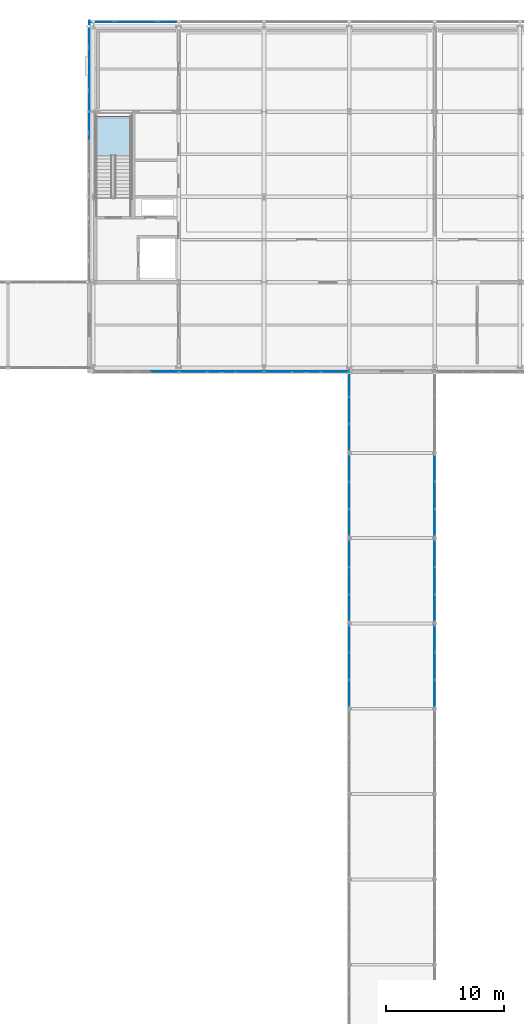
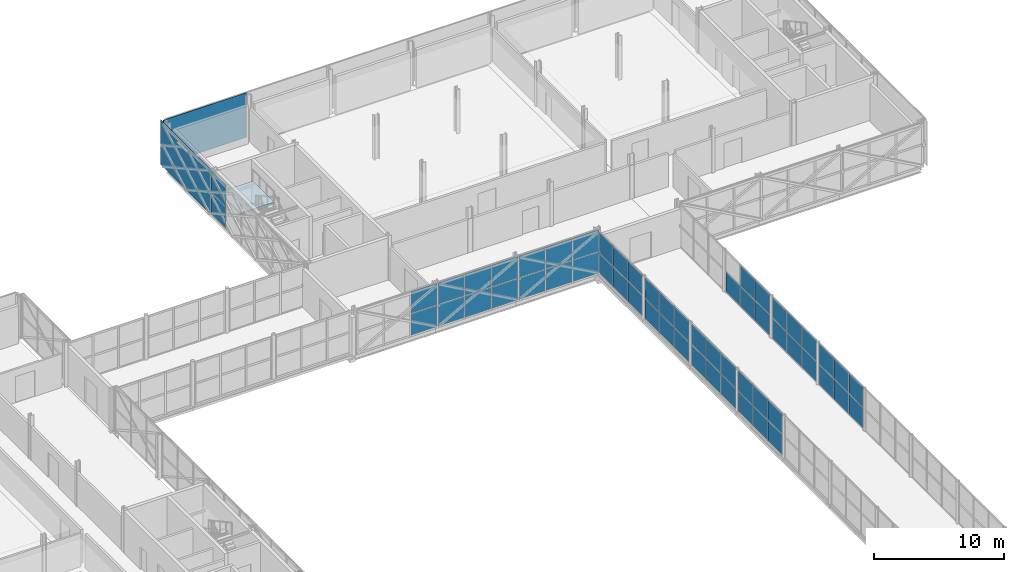
# One storey, part 93 of 146: 59 plates, 1 slab, 12 elements without a shape of their own.
"""IFC4 building model written with IfcOpenShell, lengths in metres."""

from ifc_helpers import new_model, si_unit, direction, frame, origin, origin_2d, place, context, subcontext, project, spatial, polyline, rectangle, outline, extrude, material, layer, layer_set, type_object, element, aggregate, save


model = new_model("IFC4")

# Units and contexts
model_context = context("Model", 3, precision=1e-05, world=origin(), true_north=direction((0.0, 1.0)))
body_context = subcontext(model_context, "Body", "Model", "MODEL_VIEW")
ifc_project = project(units=[si_unit("LENGTHUNIT", "METRE"), si_unit("AREAUNIT", "SQUARE_METRE"), si_unit("VOLUMEUNIT", "CUBIC_METRE"), si_unit("PLANEANGLEUNIT", "RADIAN"), si_unit("MASSUNIT", "GRAM", prefix="KILO")], contexts=[model_context])

# Site, building, storey
site_placement = place(None, origin())
site = spatial("IfcSite", under=ifc_project, at=site_placement, CompositionType="ELEMENT")
building_placement = place(site_placement, origin())
building = spatial("IfcBuilding", under=site, at=building_placement, Name="Zlatovets Crest Museum", CompositionType="ELEMENT")
storey_placement = place(building_placement, frame((0.0, 0.0, 4.5)))
storey = spatial("IfcBuildingStorey", under=building, at=storey_placement, Name="L01", CompositionType="ELEMENT", Elevation=4.5)

# Curtain wall, plates
ifc_material_1 = material(Name="Bronze-anodised aluminium and low-E triple glass", Category="aluminium")
curtain_wall_type_1 = type_object("IfcCurtainWallType", Name="CW_CW-BR5-L01-S69", PredefinedType="NOTDEFINED", material=ifc_material_1)
curtain_wall_1_placement = place(storey_placement, origin())
curtain_wall_1 = element("IfcCurtainWall", 1, at=curtain_wall_1_placement, inside=storey, type_object=curtain_wall_type_1, Name="Central Sculpture Court Cloister and Skywalk L01 Glazed Bridge Curtain Wall", PredefinedType="NOTDEFINED")
ifc_material_2 = material(Name="Solar-control low-E laminated triple glass", Category="glass")
ifc_layer_1 = layer(ifc_material_2, 0.030029296875)
ifc_layer_set_1 = layer_set([ifc_layer_1], Name="Solar-control low-E laminated triple glass")
plate_type_1 = type_object("IfcPlateType", Name="CWPanel_CW-BR5-L01-S69", PredefinedType="CURTAIN_PANEL", material=ifc_layer_set_1)
plate_1_placement = place(storey_placement, frame((79.199951171875, 58.9150390625, 0.06005859375), z_axis=(0.0, 0.0, 1.0), x_axis=(0.0, 1.0, 0.0)))
plate_1 = element("IfcPlate", 2, at=plate_1_placement, type_object=plate_type_1, Name="CW-BR5-L01-S69 panel 1.1", PredefinedType="CURTAIN_PANEL", context=body_context, shape_type="SweptSolid", body=[
    extrude(rectangle(XDim=2.2099609375, YDim=0.030029296875, at=origin_2d()), origin(), (0.0, 0.0, 1.0), 1.89990234375),
])
plate_2_placement = place(storey_placement, frame((79.199951171875, 58.9150390625, 2.02001953125), z_axis=(0.0, 0.0, 1.0), x_axis=(0.0, 1.0, 0.0)))
plate_2 = element("IfcPlate", 3, at=plate_2_placement, type_object=plate_type_1, Name="CW-BR5-L01-S69 panel 1.2", PredefinedType="CURTAIN_PANEL", context=body_context, shape_type="SweptSolid", body=[
    extrude(rectangle(XDim=2.2099609375, YDim=0.030029296875, at=origin_2d()), origin(), (0.0, 0.0, 1.0), 1.89990234375),
])
plate_3_placement = place(storey_placement, frame((79.199951171875, 61.199951171875, 0.06005859375), z_axis=(0.0, 0.0, 1.0), x_axis=(0.0, 1.0, 0.0)))
plate_3 = element("IfcPlate", 4, at=plate_3_placement, type_object=plate_type_1, Name="CW-BR5-L01-S69 panel 2.1", PredefinedType="CURTAIN_PANEL", context=body_context, shape_type="SweptSolid", body=[
    extrude(rectangle(XDim=2.239990234375, YDim=0.030029296875, at=origin_2d()), origin(), (0.0, 0.0, 1.0), 1.89990234375),
])
plate_4_placement = place(storey_placement, frame((79.199951171875, 61.199951171875, 2.02001953125), z_axis=(0.0, 0.0, 1.0), x_axis=(0.0, 1.0, 0.0)))
plate_4 = element("IfcPlate", 5, at=plate_4_placement, type_object=plate_type_1, Name="CW-BR5-L01-S69 panel 2.2", PredefinedType="CURTAIN_PANEL", context=body_context, shape_type="SweptSolid", body=[
    extrude(rectangle(XDim=2.239990234375, YDim=0.030029296875, at=origin_2d()), origin(), (0.0, 0.0, 1.0), 1.89990234375),
])
plate_5_placement = place(storey_placement, frame((79.199951171875, 63.485107421875, 0.06005859375), z_axis=(0.0, 0.0, 1.0), x_axis=(0.0, 1.0, 0.0)))
plate_5 = element("IfcPlate", 6, at=plate_5_placement, type_object=plate_type_1, Name="CW-BR5-L01-S69 panel 3.1", PredefinedType="CURTAIN_PANEL", context=body_context, shape_type="SweptSolid", body=[
    extrude(rectangle(XDim=2.2099609375, YDim=0.030029296875, at=origin_2d()), origin(), (0.0, 0.0, 1.0), 1.89990234375),
])
plate_6_placement = place(storey_placement, frame((79.199951171875, 63.485107421875, 2.02001953125), z_axis=(0.0, 0.0, 1.0), x_axis=(0.0, 1.0, 0.0)))
plate_6 = element("IfcPlate", 7, at=plate_6_placement, type_object=plate_type_1, Name="CW-BR5-L01-S69 panel 3.2", PredefinedType="CURTAIN_PANEL", context=body_context, shape_type="SweptSolid", body=[
    extrude(rectangle(XDim=2.2099609375, YDim=0.030029296875, at=origin_2d()), origin(), (0.0, 0.0, 1.0), 1.89990234375),
])
aggregate(curtain_wall_1, [plate_1, plate_2, plate_3, plate_4, plate_5, plate_6])

curtain_wall_2_placement = place(storey_placement, origin())
curtain_wall_2 = element("IfcCurtainWall", 8, at=curtain_wall_2_placement, inside=storey, type_object=curtain_wall_type_1, Name="Central Sculpture Court Cloister and Skywalk L01 Glazed Bridge Curtain Wall", PredefinedType="NOTDEFINED")
plate_7_placement = place(storey_placement, frame((79.199951171875, 66.114990234375, 0.06005859375), z_axis=(0.0, 0.0, 1.0), x_axis=(0.0, 1.0, 0.0)))
plate_7 = element("IfcPlate", 9, at=plate_7_placement, type_object=plate_type_1, Name="CW-BR5-L01-S69 panel 1.1", PredefinedType="CURTAIN_PANEL", context=body_context, shape_type="SweptSolid", body=[
    extrude(rectangle(XDim=2.2099609375, YDim=0.030029296875, at=origin_2d()), origin(), (0.0, 0.0, 1.0), 1.89990234375),
])
plate_8_placement = place(storey_placement, frame((79.199951171875, 66.114990234375, 2.02001953125), z_axis=(0.0, 0.0, 1.0), x_axis=(0.0, 1.0, 0.0)))
plate_8 = element("IfcPlate", 10, at=plate_8_placement, type_object=plate_type_1, Name="CW-BR5-L01-S69 panel 1.2", PredefinedType="CURTAIN_PANEL", context=body_context, shape_type="SweptSolid", body=[
    extrude(rectangle(XDim=2.2099609375, YDim=0.030029296875, at=origin_2d()), origin(), (0.0, 0.0, 1.0), 1.89990234375),
])
plate_9_placement = place(storey_placement, frame((79.199951171875, 68.39990234375, 0.06005859375), z_axis=(0.0, 0.0, 1.0), x_axis=(0.0, 1.0, 0.0)))
plate_9 = element("IfcPlate", 11, at=plate_9_placement, type_object=plate_type_1, Name="CW-BR5-L01-S69 panel 2.1", PredefinedType="CURTAIN_PANEL", context=body_context, shape_type="SweptSolid", body=[
    extrude(rectangle(XDim=2.239990234375, YDim=0.030029296875, at=origin_2d()), origin(), (0.0, 0.0, 1.0), 1.89990234375),
])
plate_10_placement = place(storey_placement, frame((79.199951171875, 68.39990234375, 2.02001953125), z_axis=(0.0, 0.0, 1.0), x_axis=(0.0, 1.0, 0.0)))
plate_10 = element("IfcPlate", 12, at=plate_10_placement, type_object=plate_type_1, Name="CW-BR5-L01-S69 panel 2.2", PredefinedType="CURTAIN_PANEL", context=body_context, shape_type="SweptSolid", body=[
    extrude(rectangle(XDim=2.239990234375, YDim=0.030029296875, at=origin_2d()), origin(), (0.0, 0.0, 1.0), 1.89990234375),
])
plate_11_placement = place(storey_placement, frame((79.199951171875, 70.68505859375, 0.06005859375), z_axis=(0.0, 0.0, 1.0), x_axis=(0.0, 1.0, 0.0)))
plate_11 = element("IfcPlate", 13, at=plate_11_placement, type_object=plate_type_1, Name="CW-BR5-L01-S69 panel 3.1", PredefinedType="CURTAIN_PANEL", context=body_context, shape_type="SweptSolid", body=[
    extrude(rectangle(XDim=2.2099609375, YDim=0.030029296875, at=origin_2d()), origin(), (0.0, 0.0, 1.0), 1.89990234375),
])
plate_12_placement = place(storey_placement, frame((79.199951171875, 70.68505859375, 2.02001953125), z_axis=(0.0, 0.0, 1.0), x_axis=(0.0, 1.0, 0.0)))
plate_12 = element("IfcPlate", 14, at=plate_12_placement, type_object=plate_type_1, Name="CW-BR5-L01-S69 panel 3.2", PredefinedType="CURTAIN_PANEL", context=body_context, shape_type="SweptSolid", body=[
    extrude(rectangle(XDim=2.2099609375, YDim=0.030029296875, at=origin_2d()), origin(), (0.0, 0.0, 1.0), 1.89990234375),
])
aggregate(curtain_wall_2, [plate_7, plate_8, plate_9, plate_10, plate_11, plate_12])

curtain_wall_3_placement = place(storey_placement, origin())
curtain_wall_3 = element("IfcCurtainWall", 15, at=curtain_wall_3_placement, inside=storey, type_object=curtain_wall_type_1, Name="Central Sculpture Court Cloister and Skywalk L01 Glazed Bridge Curtain Wall", PredefinedType="NOTDEFINED")
plate_13_placement = place(storey_placement, frame((79.199951171875, 73.31494140625, 0.06005859375), z_axis=(0.0, 0.0, 1.0), x_axis=(0.0, 1.0, 0.0)))
plate_13 = element("IfcPlate", 16, at=plate_13_placement, type_object=plate_type_1, Name="CW-BR5-L01-S69 panel 1.1", PredefinedType="CURTAIN_PANEL", context=body_context, shape_type="SweptSolid", body=[
    extrude(rectangle(XDim=2.2099609375, YDim=0.030029296875, at=origin_2d()), origin(), (0.0, 0.0, 1.0), 1.89990234375),
])
plate_14_placement = place(storey_placement, frame((79.199951171875, 73.31494140625, 2.02001953125), z_axis=(0.0, 0.0, 1.0), x_axis=(0.0, 1.0, 0.0)))
plate_14 = element("IfcPlate", 17, at=plate_14_placement, type_object=plate_type_1, Name="CW-BR5-L01-S69 panel 1.2", PredefinedType="CURTAIN_PANEL", context=body_context, shape_type="SweptSolid", body=[
    extrude(rectangle(XDim=2.2099609375, YDim=0.030029296875, at=origin_2d()), origin(), (0.0, 0.0, 1.0), 1.89990234375),
])
plate_15_placement = place(storey_placement, frame((79.199951171875, 75.60009765625, 0.06005859375), z_axis=(0.0, 0.0, 1.0), x_axis=(0.0, 1.0, 0.0)))
plate_15 = element("IfcPlate", 18, at=plate_15_placement, type_object=plate_type_1, Name="CW-BR5-L01-S69 panel 2.1", PredefinedType="CURTAIN_PANEL", context=body_context, shape_type="SweptSolid", body=[
    extrude(rectangle(XDim=2.239990234375, YDim=0.030029296875, at=origin_2d()), origin(), (0.0, 0.0, 1.0), 1.89990234375),
])
plate_16_placement = place(storey_placement, frame((79.199951171875, 75.60009765625, 2.02001953125), z_axis=(0.0, 0.0, 1.0), x_axis=(0.0, 1.0, 0.0)))
plate_16 = element("IfcPlate", 19, at=plate_16_placement, type_object=plate_type_1, Name="CW-BR5-L01-S69 panel 2.2", PredefinedType="CURTAIN_PANEL", context=body_context, shape_type="SweptSolid", body=[
    extrude(rectangle(XDim=2.239990234375, YDim=0.030029296875, at=origin_2d()), origin(), (0.0, 0.0, 1.0), 1.89990234375),
])
plate_17_placement = place(storey_placement, frame((79.199951171875, 77.885009765625, 0.06005859375), z_axis=(0.0, 0.0, 1.0), x_axis=(0.0, 1.0, 0.0)))
plate_17 = element("IfcPlate", 20, at=plate_17_placement, type_object=plate_type_1, Name="CW-BR5-L01-S69 panel 3.1", PredefinedType="CURTAIN_PANEL", context=body_context, shape_type="SweptSolid", body=[
    extrude(rectangle(XDim=2.2099609375, YDim=0.030029296875, at=origin_2d()), origin(), (0.0, 0.0, 1.0), 1.89990234375),
])
plate_18_placement = place(storey_placement, frame((79.199951171875, 77.885009765625, 2.02001953125), z_axis=(0.0, 0.0, 1.0), x_axis=(0.0, 1.0, 0.0)))
plate_18 = element("IfcPlate", 21, at=plate_18_placement, type_object=plate_type_1, Name="CW-BR5-L01-S69 panel 3.2", PredefinedType="CURTAIN_PANEL", context=body_context, shape_type="SweptSolid", body=[
    extrude(rectangle(XDim=2.2099609375, YDim=0.030029296875, at=origin_2d()), origin(), (0.0, 0.0, 1.0), 1.89990234375),
])
aggregate(curtain_wall_3, [plate_13, plate_14, plate_15, plate_16, plate_17, plate_18])

curtain_wall_4_placement = place(storey_placement, origin())
curtain_wall_4 = element("IfcCurtainWall", 22, at=curtain_wall_4_placement, inside=storey, type_object=curtain_wall_type_1, Name="Central Sculpture Court Cloister and Skywalk L01 Glazed Bridge Curtain Wall", PredefinedType="NOTDEFINED")
plate_19_placement = place(storey_placement, frame((79.199951171875, 80.514892578125, 0.06005859375), z_axis=(0.0, 0.0, 1.0), x_axis=(0.0, 1.0, 0.0)))
plate_19 = element("IfcPlate", 23, at=plate_19_placement, type_object=plate_type_1, Name="CW-BR5-L01-S69 panel 1.1", PredefinedType="CURTAIN_PANEL", context=body_context, shape_type="SweptSolid", body=[
    extrude(rectangle(XDim=2.2099609375, YDim=0.030029296875, at=origin_2d()), origin(), (0.0, 0.0, 1.0), 1.89990234375),
])
plate_20_placement = place(storey_placement, frame((79.199951171875, 80.514892578125, 2.02001953125), z_axis=(0.0, 0.0, 1.0), x_axis=(0.0, 1.0, 0.0)))
plate_20 = element("IfcPlate", 24, at=plate_20_placement, type_object=plate_type_1, Name="CW-BR5-L01-S69 panel 1.2", PredefinedType="CURTAIN_PANEL", context=body_context, shape_type="SweptSolid", body=[
    extrude(rectangle(XDim=2.2099609375, YDim=0.030029296875, at=origin_2d()), origin(), (0.0, 0.0, 1.0), 1.89990234375),
])
plate_21_placement = place(storey_placement, frame((79.199951171875, 82.800048828125, 0.06005859375), z_axis=(0.0, 0.0, 1.0), x_axis=(0.0, 1.0, 0.0)))
plate_21 = element("IfcPlate", 25, at=plate_21_placement, type_object=plate_type_1, Name="CW-BR5-L01-S69 panel 2.1", PredefinedType="CURTAIN_PANEL", context=body_context, shape_type="SweptSolid", body=[
    extrude(rectangle(XDim=2.239990234375, YDim=0.030029296875, at=origin_2d()), origin(), (0.0, 0.0, 1.0), 1.89990234375),
])
plate_22_placement = place(storey_placement, frame((79.199951171875, 82.800048828125, 2.02001953125), z_axis=(0.0, 0.0, 1.0), x_axis=(0.0, 1.0, 0.0)))
plate_22 = element("IfcPlate", 26, at=plate_22_placement, type_object=plate_type_1, Name="CW-BR5-L01-S69 panel 2.2", PredefinedType="CURTAIN_PANEL", context=body_context, shape_type="SweptSolid", body=[
    extrude(rectangle(XDim=2.239990234375, YDim=0.030029296875, at=origin_2d()), origin(), (0.0, 0.0, 1.0), 1.89990234375),
])
plate_23_placement = place(storey_placement, frame((79.199951171875, 85.0849609375, 0.06005859375), z_axis=(0.0, 0.0, 1.0), x_axis=(0.0, 1.0, 0.0)))
plate_23 = element("IfcPlate", 27, at=plate_23_placement, type_object=plate_type_1, Name="CW-BR5-L01-S69 panel 3.1", PredefinedType="CURTAIN_PANEL", context=body_context, shape_type="SweptSolid", body=[
    extrude(rectangle(XDim=2.2099609375, YDim=0.030029296875, at=origin_2d()), origin(), (0.0, 0.0, 1.0), 1.89990234375),
])
plate_24_placement = place(storey_placement, frame((79.199951171875, 85.0849609375, 2.02001953125), z_axis=(0.0, 0.0, 1.0), x_axis=(0.0, 1.0, 0.0)))
plate_24 = element("IfcPlate", 28, at=plate_24_placement, type_object=plate_type_1, Name="CW-BR5-L01-S69 panel 3.2", PredefinedType="CURTAIN_PANEL", context=body_context, shape_type="SweptSolid", body=[
    extrude(rectangle(XDim=2.2099609375, YDim=0.030029296875, at=origin_2d()), origin(), (0.0, 0.0, 1.0), 1.89990234375),
])
aggregate(curtain_wall_4, [plate_19, plate_20, plate_21, plate_22, plate_23, plate_24])

curtain_wall_5_placement = place(storey_placement, origin())
curtain_wall_5 = element("IfcCurtainWall", 29, at=curtain_wall_5_placement, inside=storey, type_object=curtain_wall_type_1, Name="Central Sculpture Court Cloister and Skywalk L01 Glazed Bridge Curtain Wall", PredefinedType="NOTDEFINED")
plate_25_placement = place(storey_placement, frame((86.39990234375, 58.9150390625, 0.06005859375), z_axis=(0.0, 0.0, 1.0), x_axis=(0.0, 1.0, 0.0)))
plate_25 = element("IfcPlate", 30, at=plate_25_placement, type_object=plate_type_1, Name="CW-BR5-L01-S69 panel 1.1", PredefinedType="CURTAIN_PANEL", context=body_context, shape_type="SweptSolid", body=[
    extrude(rectangle(XDim=2.2099609375, YDim=0.030029296875, at=origin_2d()), origin(), (0.0, 0.0, 1.0), 1.89990234375),
])
plate_26_placement = place(storey_placement, frame((86.39990234375, 58.9150390625, 2.02001953125), z_axis=(0.0, 0.0, 1.0), x_axis=(0.0, 1.0, 0.0)))
plate_26 = element("IfcPlate", 31, at=plate_26_placement, type_object=plate_type_1, Name="CW-BR5-L01-S69 panel 1.2", PredefinedType="CURTAIN_PANEL", context=body_context, shape_type="SweptSolid", body=[
    extrude(rectangle(XDim=2.2099609375, YDim=0.030029296875, at=origin_2d()), origin(), (0.0, 0.0, 1.0), 1.89990234375),
])
plate_27_placement = place(storey_placement, frame((86.39990234375, 61.199951171875, 0.06005859375), z_axis=(0.0, 0.0, 1.0), x_axis=(0.0, 1.0, 0.0)))
plate_27 = element("IfcPlate", 32, at=plate_27_placement, type_object=plate_type_1, Name="CW-BR5-L01-S69 panel 2.1", PredefinedType="CURTAIN_PANEL", context=body_context, shape_type="SweptSolid", body=[
    extrude(rectangle(XDim=2.239990234375, YDim=0.030029296875, at=origin_2d()), origin(), (0.0, 0.0, 1.0), 1.89990234375),
])
plate_28_placement = place(storey_placement, frame((86.39990234375, 61.199951171875, 2.02001953125), z_axis=(0.0, 0.0, 1.0), x_axis=(0.0, 1.0, 0.0)))
plate_28 = element("IfcPlate", 33, at=plate_28_placement, type_object=plate_type_1, Name="CW-BR5-L01-S69 panel 2.2", PredefinedType="CURTAIN_PANEL", context=body_context, shape_type="SweptSolid", body=[
    extrude(rectangle(XDim=2.239990234375, YDim=0.030029296875, at=origin_2d()), origin(), (0.0, 0.0, 1.0), 1.89990234375),
])
plate_29_placement = place(storey_placement, frame((86.39990234375, 63.485107421875, 0.06005859375), z_axis=(0.0, 0.0, 1.0), x_axis=(0.0, 1.0, 0.0)))
plate_29 = element("IfcPlate", 34, at=plate_29_placement, type_object=plate_type_1, Name="CW-BR5-L01-S69 panel 3.1", PredefinedType="CURTAIN_PANEL", context=body_context, shape_type="SweptSolid", body=[
    extrude(rectangle(XDim=2.2099609375, YDim=0.030029296875, at=origin_2d()), origin(), (0.0, 0.0, 1.0), 1.89990234375),
])
plate_30_placement = place(storey_placement, frame((86.39990234375, 63.485107421875, 2.02001953125), z_axis=(0.0, 0.0, 1.0), x_axis=(0.0, 1.0, 0.0)))
plate_30 = element("IfcPlate", 35, at=plate_30_placement, type_object=plate_type_1, Name="CW-BR5-L01-S69 panel 3.2", PredefinedType="CURTAIN_PANEL", context=body_context, shape_type="SweptSolid", body=[
    extrude(rectangle(XDim=2.2099609375, YDim=0.030029296875, at=origin_2d()), origin(), (0.0, 0.0, 1.0), 1.89990234375),
])
aggregate(curtain_wall_5, [plate_25, plate_26, plate_27, plate_28, plate_29, plate_30])

curtain_wall_6_placement = place(storey_placement, origin())
curtain_wall_6 = element("IfcCurtainWall", 36, at=curtain_wall_6_placement, inside=storey, type_object=curtain_wall_type_1, Name="Central Sculpture Court Cloister and Skywalk L01 Glazed Bridge Curtain Wall", PredefinedType="NOTDEFINED")
plate_31_placement = place(storey_placement, frame((86.39990234375, 66.114990234375, 0.06005859375), z_axis=(0.0, 0.0, 1.0), x_axis=(0.0, 1.0, 0.0)))
plate_31 = element("IfcPlate", 37, at=plate_31_placement, type_object=plate_type_1, Name="CW-BR5-L01-S69 panel 1.1", PredefinedType="CURTAIN_PANEL", context=body_context, shape_type="SweptSolid", body=[
    extrude(rectangle(XDim=2.2099609375, YDim=0.030029296875, at=origin_2d()), origin(), (0.0, 0.0, 1.0), 1.89990234375),
])
plate_32_placement = place(storey_placement, frame((86.39990234375, 66.114990234375, 2.02001953125), z_axis=(0.0, 0.0, 1.0), x_axis=(0.0, 1.0, 0.0)))
plate_32 = element("IfcPlate", 38, at=plate_32_placement, type_object=plate_type_1, Name="CW-BR5-L01-S69 panel 1.2", PredefinedType="CURTAIN_PANEL", context=body_context, shape_type="SweptSolid", body=[
    extrude(rectangle(XDim=2.2099609375, YDim=0.030029296875, at=origin_2d()), origin(), (0.0, 0.0, 1.0), 1.89990234375),
])
plate_33_placement = place(storey_placement, frame((86.39990234375, 68.39990234375, 0.06005859375), z_axis=(0.0, 0.0, 1.0), x_axis=(0.0, 1.0, 0.0)))
plate_33 = element("IfcPlate", 39, at=plate_33_placement, type_object=plate_type_1, Name="CW-BR5-L01-S69 panel 2.1", PredefinedType="CURTAIN_PANEL", context=body_context, shape_type="SweptSolid", body=[
    extrude(rectangle(XDim=2.239990234375, YDim=0.030029296875, at=origin_2d()), origin(), (0.0, 0.0, 1.0), 1.89990234375),
])
plate_34_placement = place(storey_placement, frame((86.39990234375, 68.39990234375, 2.02001953125), z_axis=(0.0, 0.0, 1.0), x_axis=(0.0, 1.0, 0.0)))
plate_34 = element("IfcPlate", 40, at=plate_34_placement, type_object=plate_type_1, Name="CW-BR5-L01-S69 panel 2.2", PredefinedType="CURTAIN_PANEL", context=body_context, shape_type="SweptSolid", body=[
    extrude(rectangle(XDim=2.239990234375, YDim=0.030029296875, at=origin_2d()), origin(), (0.0, 0.0, 1.0), 1.89990234375),
])
plate_35_placement = place(storey_placement, frame((86.39990234375, 70.68505859375, 0.06005859375), z_axis=(0.0, 0.0, 1.0), x_axis=(0.0, 1.0, 0.0)))
plate_35 = element("IfcPlate", 41, at=plate_35_placement, type_object=plate_type_1, Name="CW-BR5-L01-S69 panel 3.1", PredefinedType="CURTAIN_PANEL", context=body_context, shape_type="SweptSolid", body=[
    extrude(rectangle(XDim=2.2099609375, YDim=0.030029296875, at=origin_2d()), origin(), (0.0, 0.0, 1.0), 1.89990234375),
])
plate_36_placement = place(storey_placement, frame((86.39990234375, 70.68505859375, 2.02001953125), z_axis=(0.0, 0.0, 1.0), x_axis=(0.0, 1.0, 0.0)))
plate_36 = element("IfcPlate", 42, at=plate_36_placement, type_object=plate_type_1, Name="CW-BR5-L01-S69 panel 3.2", PredefinedType="CURTAIN_PANEL", context=body_context, shape_type="SweptSolid", body=[
    extrude(rectangle(XDim=2.2099609375, YDim=0.030029296875, at=origin_2d()), origin(), (0.0, 0.0, 1.0), 1.89990234375),
])
aggregate(curtain_wall_6, [plate_31, plate_32, plate_33, plate_34, plate_35, plate_36])

curtain_wall_7_placement = place(storey_placement, origin())
curtain_wall_7 = element("IfcCurtainWall", 43, at=curtain_wall_7_placement, inside=storey, type_object=curtain_wall_type_1, Name="Central Sculpture Court Cloister and Skywalk L01 Glazed Bridge Curtain Wall", PredefinedType="NOTDEFINED")
plate_37_placement = place(storey_placement, frame((86.39990234375, 73.31494140625, 0.06005859375), z_axis=(0.0, 0.0, 1.0), x_axis=(0.0, 1.0, 0.0)))
plate_37 = element("IfcPlate", 44, at=plate_37_placement, type_object=plate_type_1, Name="CW-BR5-L01-S69 panel 1.1", PredefinedType="CURTAIN_PANEL", context=body_context, shape_type="SweptSolid", body=[
    extrude(rectangle(XDim=2.2099609375, YDim=0.030029296875, at=origin_2d()), origin(), (0.0, 0.0, 1.0), 1.89990234375),
])
plate_38_placement = place(storey_placement, frame((86.39990234375, 73.31494140625, 2.02001953125), z_axis=(0.0, 0.0, 1.0), x_axis=(0.0, 1.0, 0.0)))
plate_38 = element("IfcPlate", 45, at=plate_38_placement, type_object=plate_type_1, Name="CW-BR5-L01-S69 panel 1.2", PredefinedType="CURTAIN_PANEL", context=body_context, shape_type="SweptSolid", body=[
    extrude(rectangle(XDim=2.2099609375, YDim=0.030029296875, at=origin_2d()), origin(), (0.0, 0.0, 1.0), 1.89990234375),
])
plate_39_placement = place(storey_placement, frame((86.39990234375, 75.60009765625, 0.06005859375), z_axis=(0.0, 0.0, 1.0), x_axis=(0.0, 1.0, 0.0)))
plate_39 = element("IfcPlate", 46, at=plate_39_placement, type_object=plate_type_1, Name="CW-BR5-L01-S69 panel 2.1", PredefinedType="CURTAIN_PANEL", context=body_context, shape_type="SweptSolid", body=[
    extrude(rectangle(XDim=2.239990234375, YDim=0.030029296875, at=origin_2d()), origin(), (0.0, 0.0, 1.0), 1.89990234375),
])
plate_40_placement = place(storey_placement, frame((86.39990234375, 75.60009765625, 2.02001953125), z_axis=(0.0, 0.0, 1.0), x_axis=(0.0, 1.0, 0.0)))
plate_40 = element("IfcPlate", 47, at=plate_40_placement, type_object=plate_type_1, Name="CW-BR5-L01-S69 panel 2.2", PredefinedType="CURTAIN_PANEL", context=body_context, shape_type="SweptSolid", body=[
    extrude(rectangle(XDim=2.239990234375, YDim=0.030029296875, at=origin_2d()), origin(), (0.0, 0.0, 1.0), 1.89990234375),
])
plate_41_placement = place(storey_placement, frame((86.39990234375, 77.885009765625, 0.06005859375), z_axis=(0.0, 0.0, 1.0), x_axis=(0.0, 1.0, 0.0)))
plate_41 = element("IfcPlate", 48, at=plate_41_placement, type_object=plate_type_1, Name="CW-BR5-L01-S69 panel 3.1", PredefinedType="CURTAIN_PANEL", context=body_context, shape_type="SweptSolid", body=[
    extrude(rectangle(XDim=2.2099609375, YDim=0.030029296875, at=origin_2d()), origin(), (0.0, 0.0, 1.0), 1.89990234375),
])
aggregate(curtain_wall_7, [plate_37, plate_38, plate_39, plate_40, plate_41])

curtain_wall_type_2 = type_object("IfcCurtainWallType", Name="CW_CW-V1-L01-M0", PredefinedType="NOTDEFINED", material=ifc_material_1)
curtain_wall_8_placement = place(storey_placement, origin())
curtain_wall_8 = element("IfcCurtainWall", 49, at=curtain_wall_8_placement, inside=storey, type_object=curtain_wall_type_2, Name="V1 L01 Secession Foyer Clear Curtain Wall", PredefinedType="NOTDEFINED")
ifc_layer_2 = layer(ifc_material_2, 0.028076171875)
ifc_layer_set_2 = layer_set([ifc_layer_2], Name="Solar-control low-E laminated triple glass")
plate_type_2 = type_object("IfcPlateType", Name="CWPanel_CW-V1-L01-M0", PredefinedType="CURTAIN_PANEL", material=ifc_layer_set_2)
plate_42_placement = place(storey_placement, frame((63.5849609375, 86.06005859375, 0.06005859375), z_axis=(0.0, 0.0, 1.0), x_axis=(1.0, 0.0, 0.0)))
plate_42 = element("IfcPlate", 50, at=plate_42_placement, type_object=plate_type_2, Name="CW-V1-L01-M0 panel 3.1", PredefinedType="CURTAIN_PANEL", context=body_context, shape_type="SweptSolid", body=[
    extrude(rectangle(XDim=2.31005859375, YDim=0.028076171875, at=origin_2d()), origin(), (0.0, 0.0, 1.0), 2.010009765625),
])
plate_43_placement = place(storey_placement, frame((63.5849609375, 86.06005859375, 2.1298828125), z_axis=(0.0, 0.0, 1.0), x_axis=(1.0, 0.0, 0.0)))
plate_43 = element("IfcPlate", 51, at=plate_43_placement, type_object=plate_type_2, Name="CW-V1-L01-M0 panel 3.2", PredefinedType="CURTAIN_PANEL", context=body_context, shape_type="SweptSolid", body=[
    extrude(rectangle(XDim=2.31005859375, YDim=0.028076171875, at=origin_2d()), origin(), (0.0, 0.0, 1.0), 2.010009765625),
])
aggregate(curtain_wall_8, [plate_42, plate_43])

curtain_wall_type_3 = type_object("IfcCurtainWallType", Name="CW_CW-V1-L01-M1", PredefinedType="NOTDEFINED", material=ifc_material_1)
curtain_wall_9_placement = place(storey_placement, origin())
curtain_wall_9 = element("IfcCurtainWall", 52, at=curtain_wall_9_placement, inside=storey, type_object=curtain_wall_type_3, Name="V1 L01 Secession Foyer Clear Curtain Wall", PredefinedType="NOTDEFINED")
ifc_layer_3 = layer(ifc_material_2, 0.031982421875)
ifc_layer_set_3 = layer_set([ifc_layer_3], Name="Solar-control low-E laminated triple glass")
plate_type_3 = type_object("IfcPlateType", Name="CWPanel_CW-V1-L01-M1", PredefinedType="CURTAIN_PANEL", material=ifc_layer_set_3)
plate_44_placement = place(storey_placement, frame((66.014892578125, 86.06005859375, 0.06005859375), z_axis=(0.0, 0.0, 1.0), x_axis=(1.0, 0.0, 0.0)))
plate_44 = element("IfcPlate", 53, at=plate_44_placement, type_object=plate_type_3, Name="CW-V1-L01-M1 panel 1.1", PredefinedType="CURTAIN_PANEL", context=body_context, shape_type="SweptSolid", body=[
    extrude(rectangle(XDim=2.31005859375, YDim=0.031982421875, at=origin_2d()), origin(), (0.0, 0.0, 1.0), 2.010009765625),
])
plate_45_placement = place(storey_placement, frame((66.014892578125, 86.06005859375, 2.1298828125), z_axis=(0.0, 0.0, 1.0), x_axis=(1.0, 0.0, 0.0)))
plate_45 = element("IfcPlate", 54, at=plate_45_placement, type_object=plate_type_3, Name="CW-V1-L01-M1 panel 1.2", PredefinedType="CURTAIN_PANEL", context=body_context, shape_type="SweptSolid", body=[
    extrude(rectangle(XDim=2.31005859375, YDim=0.031982421875, at=origin_2d()), origin(), (0.0, 0.0, 1.0), 2.010009765625),
])
plate_46_placement = place(storey_placement, frame((68.39990234375, 86.06005859375, 0.06005859375), z_axis=(0.0, 0.0, 1.0), x_axis=(1.0, 0.0, 0.0)))
plate_46 = element("IfcPlate", 55, at=plate_46_placement, type_object=plate_type_3, Name="CW-V1-L01-M1 panel 2.1", PredefinedType="CURTAIN_PANEL", context=body_context, shape_type="SweptSolid", body=[
    extrude(rectangle(XDim=2.340087890625, YDim=0.031982421875, at=origin_2d()), origin(), (0.0, 0.0, 1.0), 2.010009765625),
])
plate_47_placement = place(storey_placement, frame((68.39990234375, 86.06005859375, 2.1298828125), z_axis=(0.0, 0.0, 1.0), x_axis=(1.0, 0.0, 0.0)))
plate_47 = element("IfcPlate", 56, at=plate_47_placement, type_object=plate_type_3, Name="CW-V1-L01-M1 panel 2.2", PredefinedType="CURTAIN_PANEL", context=body_context, shape_type="SweptSolid", body=[
    extrude(rectangle(XDim=2.340087890625, YDim=0.031982421875, at=origin_2d()), origin(), (0.0, 0.0, 1.0), 2.010009765625),
])
plate_48_placement = place(storey_placement, frame((70.784912109375, 86.06005859375, 0.06005859375), z_axis=(0.0, 0.0, 1.0), x_axis=(1.0, 0.0, 0.0)))
plate_48 = element("IfcPlate", 57, at=plate_48_placement, type_object=plate_type_3, Name="CW-V1-L01-M1 panel 3.1", PredefinedType="CURTAIN_PANEL", context=body_context, shape_type="SweptSolid", body=[
    extrude(rectangle(XDim=2.31005859375, YDim=0.031982421875, at=origin_2d()), origin(), (0.0, 0.0, 1.0), 2.010009765625),
])
plate_49_placement = place(storey_placement, frame((70.784912109375, 86.06005859375, 2.1298828125), z_axis=(0.0, 0.0, 1.0), x_axis=(1.0, 0.0, 0.0)))
plate_49 = element("IfcPlate", 58, at=plate_49_placement, type_object=plate_type_3, Name="CW-V1-L01-M1 panel 3.2", PredefinedType="CURTAIN_PANEL", context=body_context, shape_type="SweptSolid", body=[
    extrude(rectangle(XDim=2.31005859375, YDim=0.031982421875, at=origin_2d()), origin(), (0.0, 0.0, 1.0), 2.010009765625),
])
aggregate(curtain_wall_9, [plate_44, plate_45, plate_46, plate_47, plate_48, plate_49])

curtain_wall_type_4 = type_object("IfcCurtainWallType", Name="CW_CW-V1-L01-M2", PredefinedType="NOTDEFINED", material=ifc_material_1)
curtain_wall_10_placement = place(storey_placement, origin())
curtain_wall_10 = element("IfcCurtainWall", 59, at=curtain_wall_10_placement, inside=storey, type_object=curtain_wall_type_4, Name="V1 L01 Secession Foyer Clear Curtain Wall", PredefinedType="NOTDEFINED")
ifc_layer_4 = layer(ifc_material_2, 0.035888671875)
ifc_layer_set_4 = layer_set([ifc_layer_4], Name="Solar-control low-E laminated triple glass")
plate_type_4 = type_object("IfcPlateType", Name="CWPanel_CW-V1-L01-M2", PredefinedType="CURTAIN_PANEL", material=ifc_layer_set_4)
plate_50_placement = place(storey_placement, frame((73.215087890625, 86.06005859375, 0.06005859375), z_axis=(0.0, 0.0, 1.0), x_axis=(1.0, 0.0, 0.0)))
plate_50 = element("IfcPlate", 60, at=plate_50_placement, type_object=plate_type_4, Name="CW-V1-L01-M2 panel 1.1", PredefinedType="CURTAIN_PANEL", context=body_context, shape_type="SweptSolid", body=[
    extrude(rectangle(XDim=2.31005859375, YDim=0.035888671875, at=origin_2d()), origin(), (0.0, 0.0, 1.0), 2.010009765625),
])
plate_51_placement = place(storey_placement, frame((73.215087890625, 86.06005859375, 2.1298828125), z_axis=(0.0, 0.0, 1.0), x_axis=(1.0, 0.0, 0.0)))
plate_51 = element("IfcPlate", 61, at=plate_51_placement, type_object=plate_type_4, Name="CW-V1-L01-M2 panel 1.2", PredefinedType="CURTAIN_PANEL", context=body_context, shape_type="SweptSolid", body=[
    extrude(rectangle(XDim=2.31005859375, YDim=0.035888671875, at=origin_2d()), origin(), (0.0, 0.0, 1.0), 2.010009765625),
])
plate_52_placement = place(storey_placement, frame((75.60009765625, 86.06005859375, 0.06005859375), z_axis=(0.0, 0.0, 1.0), x_axis=(1.0, 0.0, 0.0)))
plate_52 = element("IfcPlate", 62, at=plate_52_placement, type_object=plate_type_4, Name="CW-V1-L01-M2 panel 2.1", PredefinedType="CURTAIN_PANEL", context=body_context, shape_type="SweptSolid", body=[
    extrude(rectangle(XDim=2.340087890625, YDim=0.035888671875, at=origin_2d()), origin(), (0.0, 0.0, 1.0), 2.010009765625),
])
plate_53_placement = place(storey_placement, frame((75.60009765625, 86.06005859375, 2.1298828125), z_axis=(0.0, 0.0, 1.0), x_axis=(1.0, 0.0, 0.0)))
plate_53 = element("IfcPlate", 63, at=plate_53_placement, type_object=plate_type_4, Name="CW-V1-L01-M2 panel 2.2", PredefinedType="CURTAIN_PANEL", context=body_context, shape_type="SweptSolid", body=[
    extrude(rectangle(XDim=2.340087890625, YDim=0.035888671875, at=origin_2d()), origin(), (0.0, 0.0, 1.0), 2.010009765625),
])
plate_54_placement = place(storey_placement, frame((77.985107421875, 86.06005859375, 0.06005859375), z_axis=(0.0, 0.0, 1.0), x_axis=(1.0, 0.0, 0.0)))
plate_54 = element("IfcPlate", 64, at=plate_54_placement, type_object=plate_type_4, Name="CW-V1-L01-M2 panel 3.1", PredefinedType="CURTAIN_PANEL", context=body_context, shape_type="SweptSolid", body=[
    extrude(rectangle(XDim=2.31005859375, YDim=0.035888671875, at=origin_2d()), origin(), (0.0, 0.0, 1.0), 2.010009765625),
])
plate_55_placement = place(storey_placement, frame((77.985107421875, 86.06005859375, 2.1298828125), z_axis=(0.0, 0.0, 1.0), x_axis=(1.0, 0.0, 0.0)))
plate_55 = element("IfcPlate", 65, at=plate_55_placement, type_object=plate_type_4, Name="CW-V1-L01-M2 panel 3.2", PredefinedType="CURTAIN_PANEL", context=body_context, shape_type="SweptSolid", body=[
    extrude(rectangle(XDim=2.31005859375, YDim=0.035888671875, at=origin_2d()), origin(), (0.0, 0.0, 1.0), 2.010009765625),
])
aggregate(curtain_wall_10, [plate_50, plate_51, plate_52, plate_53, plate_54, plate_55])

curtain_wall_type_5 = type_object("IfcCurtainWallType", Name="CW_CW-V1-L01-M3", PredefinedType="NOTDEFINED", material=ifc_material_1)
curtain_wall_11_placement = place(storey_placement, origin())
curtain_wall_11 = element("IfcCurtainWall", 66, at=curtain_wall_11_placement, inside=storey, type_object=curtain_wall_type_5, Name="V1 L01 Expressed Core Glazed Facade", PredefinedType="NOTDEFINED")
ifc_layer_5 = layer(ifc_material_2, 0.030029296875)
ifc_layer_set_5 = layer_set([ifc_layer_5], Name="Solar-control low-E laminated triple glass")
plate_type_5 = type_object("IfcPlateType", Name="CWPanel_CW-V1-L01-M3", PredefinedType="CURTAIN_PANEL", material=ifc_layer_set_5)
plate_56_placement = place(storey_placement, frame((57.260009765625, 106.784912109375, 0.06005859375), z_axis=(0.0, 0.0, 1.0), x_axis=(0.0, -1.0, 0.0)))
plate_56 = element("IfcPlate", 67, at=plate_56_placement, type_object=plate_type_5, Name="CW-V1-L01-M3 panel 1.1", PredefinedType="CURTAIN_PANEL", context=body_context, shape_type="SweptSolid", body=[
    extrude(rectangle(XDim=2.31005859375, YDim=0.030029296875, at=origin_2d()), origin(), (0.0, 0.0, 1.0), 2.010009765625),
])
plate_57_placement = place(storey_placement, frame((57.260009765625, 106.784912109375, 2.1298828125), z_axis=(0.0, 0.0, 1.0), x_axis=(0.0, -1.0, 0.0)))
plate_57 = element("IfcPlate", 68, at=plate_57_placement, type_object=plate_type_5, Name="CW-V1-L01-M3 panel 1.2", PredefinedType="CURTAIN_PANEL", context=body_context, shape_type="SweptSolid", body=[
    extrude(rectangle(XDim=2.31005859375, YDim=0.030029296875, at=origin_2d()), origin(), (0.0, 0.0, 1.0), 2.010009765625),
])
aggregate(curtain_wall_11, [plate_56, plate_57])

# Plates
ifc_material_3 = material(Name="Ceramic-fritted low-E laminated architectural glass", Category="glass")
ifc_layer_6 = layer(ifc_material_3, 0.031982421875)
ifc_layer_set_6 = layer_set([ifc_layer_6], Name="Ceramic-fritted low-E laminated architectural glass")
plate_type_6 = type_object("IfcPlateType", Name="GlazedSpandrel_GSP1", PredefinedType="USERDEFINED", material=ifc_layer_set_6)
plate_58_placement = place(storey_placement, frame((61.10009765625, 115.5400390625, 0.0), z_axis=(0.0, 0.0, 1.0), x_axis=(1.0, 0.0, 0.0)))
element("IfcPlate", 69, at=plate_58_placement, inside=storey, type_object=plate_type_6, Name="V1 L01 Ceramic-Fritted Gallery Glass Skin", ObjectType="GLAZED_SPANDREL", PredefinedType="USERDEFINED", context=body_context, shape_type="SweptSolid", body=[
    extrude(rectangle(XDim=7.39990234375, YDim=0.031982421875, at=origin_2d()), origin(), (0.0, 0.0, 1.0), 4.199951171875),
])
plate_59_placement = place(storey_placement, frame((57.260009765625, 111.840087890625, 0.0), z_axis=(0.0, 0.0, 1.0), x_axis=(0.0, 1.0, 0.0)))
element("IfcPlate", 70, at=plate_59_placement, inside=storey, type_object=plate_type_6, Name="V1 L01 Ceramic-Fritted Gallery Glass Skin", ObjectType="GLAZED_SPANDREL", PredefinedType="USERDEFINED", context=body_context, shape_type="SweptSolid", body=[
    extrude(rectangle(XDim=7.679931640625, YDim=0.031982421875, at=origin_2d()), origin(), (0.0, 0.0, 1.0), 4.199951171875),
])

# Stair, slab
ifc_material_4 = material(Name="Concrete C35/45", Category="concrete")
stair_type = type_object("IfcStairType", Name="Stair_ST1-26R", PredefinedType="HALF_TURN_STAIR", material=ifc_material_4)
stair_placement = place(storey_placement, origin())
stair = element("IfcStair", 71, at=stair_placement, inside=storey, type_object=stair_type, Name="L01 Core C1 Escape Stair ST1", PredefinedType="HALF_TURN_STAIR")
ifc_layer_7 = layer(ifc_material_4, 0.199951171875)
ifc_layer_set_7 = layer_set([ifc_layer_7], Name="Concrete C35/45")
slab_type = type_object("IfcSlabType", Name="StairLanding_SLD1", PredefinedType="LANDING", material=ifc_layer_set_7)
slab_placement = place(storey_placement, frame((0.0, 0.0, 1.89990234375)))
slab = element("IfcSlab", 72, at=slab_placement, type_object=slab_type, Name="ST1 landing 1", PredefinedType="LANDING", context=body_context, shape_type="SweptSolid", body=[
    extrude(outline(polyline([(60.800048828125, 104.300048828125), (60.800048828125, 107.60009765625), (57.800048828125, 107.60009765625), (57.800048828125, 104.300048828125), (60.800048828125, 104.300048828125)])), origin(), (0.0, 0.0, 1.0), 0.2001953125),
])
aggregate(stair, [slab])

save(model, "model.ifc")
